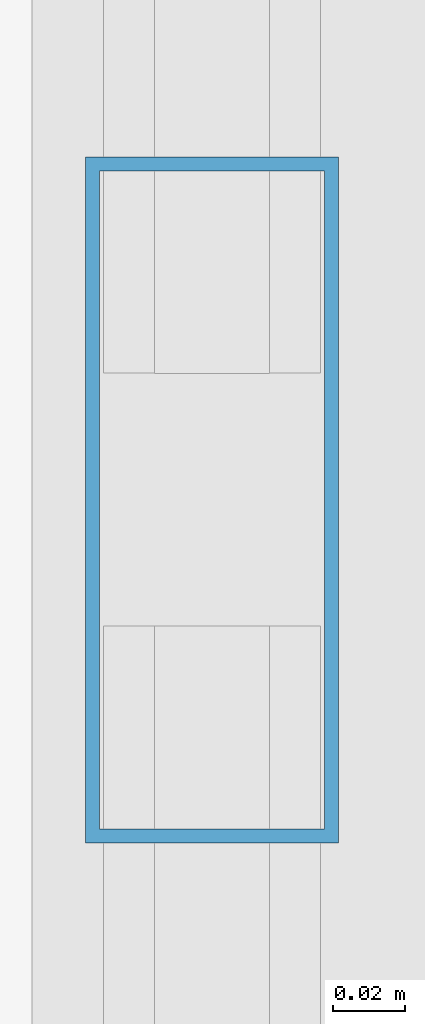
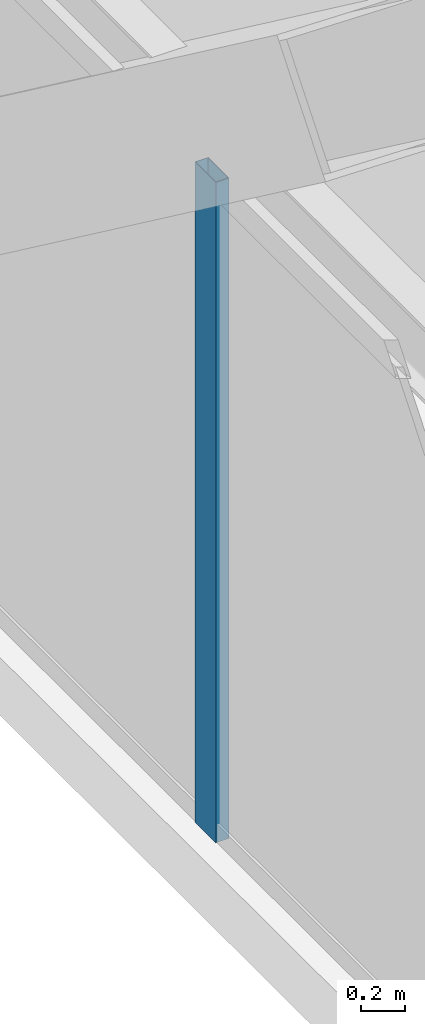
# One storey, part 9 of 34: 1 member, 1 element without a shape of its own.
"""IFC4 building model written with IfcOpenShell, lengths in metres."""

from ifc_helpers import new_model, si_unit, direction, frame, origin, origin_2d, place, context, subcontext, project, spatial, hollow_rectangle, extrude, source, transform, mapped, material, layer, layer_set, material_profile, profile_set, type_object, type_shapes, element, aggregate, save


model = new_model("IFC4")

# Units and contexts
model_context = context("Model", 3, precision=1e-05, world=origin(), true_north=direction((0.0, 1.0)))
body_context = subcontext(model_context, "Body", "Model", "MODEL_VIEW")
ifc_project = project(units=[si_unit("LENGTHUNIT", "METRE"), si_unit("AREAUNIT", "SQUARE_METRE"), si_unit("VOLUMEUNIT", "CUBIC_METRE"), si_unit("PLANEANGLEUNIT", "RADIAN"), si_unit("MASSUNIT", "GRAM", prefix="KILO")], contexts=[model_context])

# Site, building, storey
site_placement = place(None, origin())
site = spatial("IfcSite", under=ifc_project, at=site_placement, CompositionType="ELEMENT")
building_placement = place(site_placement, origin())
building = spatial("IfcBuilding", under=site, at=building_placement, Name="Varnel Quay Broadcast Tower", CompositionType="ELEMENT")
storey_placement = place(building_placement, frame((0.0, 0.0, 27.60009765625)))
storey = spatial("IfcBuildingStorey", under=building, at=storey_placement, Name="L05", CompositionType="ELEMENT", Elevation=27.60009765625)

# Curtain wall, member
ifc_material = material(Name="Anodised Bronze Aluminium 6063-T6", Category="aluminium")
ifc_layer = layer(ifc_material, 0.18994140625, Name="Anodised Bronze Aluminium 6063-T6")
ifc_layer_set = layer_set([ifc_layer], Name="Anodised Bronze Aluminium 6063-T6")
curtain_wall_type = type_object("IfcCurtainWallType", Name="CW_LowerTower", PredefinedType="NOTDEFINED", material=ifc_layer_set)
curtain_wall_placement = place(storey_placement, origin())
curtain_wall = element("IfcCurtainWall", 1, at=curtain_wall_placement, inside=storey, type_object=curtain_wall_type, Name="L05 West Unitised Curtain Wall", PredefinedType="NOTDEFINED")
ifc_material_profile = material_profile(ifc_material, hollow_rectangle(XDim=0.070068359375, YDim=0.18994140625, WallThickness=0.00390625, at=origin_2d()), Name="ALU70X190X4")
ifc_profile_set = profile_set([ifc_material_profile], Name="Anodised Bronze Aluminium 6063-T6")
member_type = type_object("IfcMemberType", Name="Mull_CWS-02", PredefinedType="MULLION", material=ifc_profile_set)
shared_shape = source(origin(), body_context, "Body", "SweptSolid", [
    extrude(hollow_rectangle(XDim=0.070068359375, YDim=0.18994140625, WallThickness=0.00390625, at=origin_2d()), origin(), (0.0, 0.0, 1.0), 3.64990234375),
])
type_shapes(member_type, [shared_shape])
member_placement = place(storey_placement, frame((2.14990234375, 30.39990234375, 0.0), z_axis=(0.0, 0.0, 1.0), x_axis=(-1.0, 0.0, 0.0)))
member = element("IfcMember", 2, at=member_placement, type_object=member_type, Name="CWS-02 mullion 3", PredefinedType="MULLION", context=body_context, shape_type="MappedRepresentation", body=[
    mapped(shared_shape, transform((0.0, 0.0, 0.0), x_axis=(1.0, 0.0, 0.0), y_axis=(0.0, 1.0, 0.0), z_axis=(0.0, 0.0, 1.0), scale=1.0)),
])
aggregate(curtain_wall, [member])

save(model, "model.ifc")
